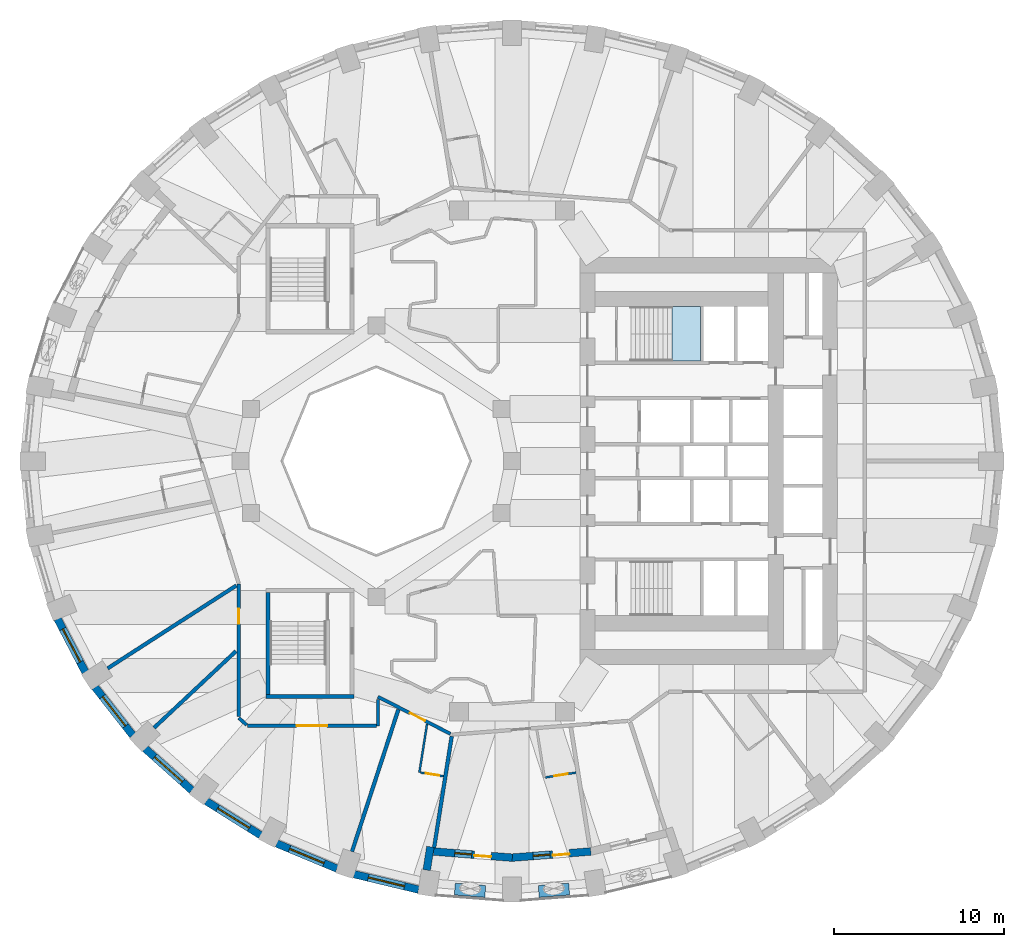
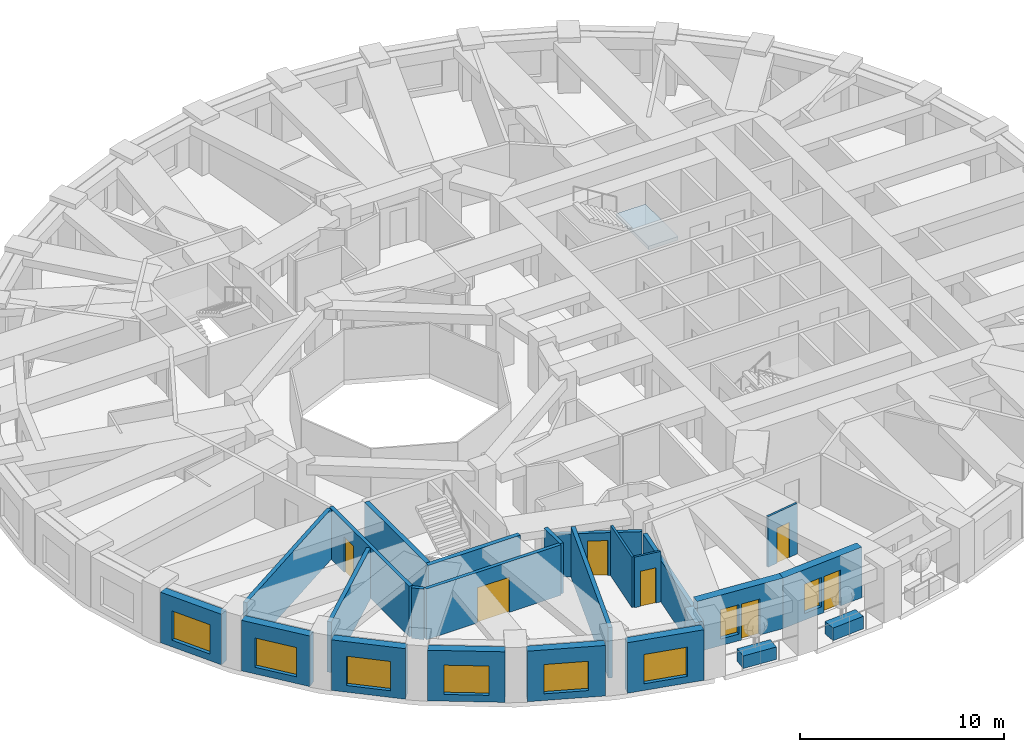
# One storey, part 3 of 13: 25 walls, 8 windows, 7 doors, 1 slab, 15 openings, 1 element without a shape of its own.
"""IFC4 building model written with IfcOpenShell, lengths in metres."""

from ifc_helpers import new_model, si_unit, direction, frame, frame_2d, origin, place, context, subcontext, project, spatial, polyline, rectangle, outline, extrude, material, layer, layer_set, constituent, constituent_set, type_object, element, fill, aggregate, save


model = new_model("IFC4")

# Units and contexts
model_context = context("Model", 3, precision=1e-05, world=origin(), true_north=direction((0.0, 1.0)))
body_context = subcontext(model_context, "Body", "Model", "MODEL_VIEW")
ifc_project = project(units=[si_unit("LENGTHUNIT", "METRE"), si_unit("AREAUNIT", "SQUARE_METRE"), si_unit("VOLUMEUNIT", "CUBIC_METRE"), si_unit("PLANEANGLEUNIT", "RADIAN"), si_unit("MASSUNIT", "GRAM", prefix="KILO")], contexts=[model_context])

# Site, building, storey
site_placement = place(None, origin())
site = spatial("IfcSite", under=ifc_project, at=site_placement, CompositionType="ELEMENT")
building_placement = place(site_placement, origin())
building = spatial("IfcBuilding", under=site, at=building_placement, Name="Taillehof Tower", CompositionType="ELEMENT")
storey_placement = place(building_placement, frame((0.0, 0.0, 34.89990234375)))
storey = spatial("IfcBuildingStorey", under=building, at=storey_placement, Name="L08", CompositionType="ELEMENT", Elevation=34.89990234375)

# Stair, slab
ifc_material_1 = material(Name="Concrete C40/50", Category="concrete")
stair_type = type_object("IfcStairType", Name="Exit stair half-turn", PredefinedType="HALF_TURN_STAIR", material=ifc_material_1)
stair_placement = place(storey_placement, origin())
stair = element("IfcStair", 1, at=stair_placement, inside=storey, type_object=stair_type, Name="Exit stair S1", PredefinedType="HALF_TURN_STAIR")
ifc_material_2 = material(Name="Concrete C40/50", Category="concrete")
ifc_layer_1 = layer(ifc_material_2, 0.2099609375)
ifc_layer_set_1 = layer_set([ifc_layer_1], Name="Stair landing C40/50 210")
slab_type = type_object("IfcSlabType", Name="Stair landing C40/50 210", PredefinedType="LANDING", material=ifc_layer_set_1)
slab_placement = place(storey_placement, frame((0.0, 0.0, 1.440185546875)))
slab = element("IfcSlab", 2, at=slab_placement, type_object=slab_type, Name="S1 landing 1", PredefinedType="LANDING", context=body_context, shape_type="SweptSolid", body=[
    extrude(outline(polyline([(9.429931640625, 5.89990234375), (11.10009765625, 5.89990234375), (11.10009765625, 9.10009765625), (9.429931640625, 9.10009765625), (9.429931640625, 5.89990234375)])), origin(), (0.0, 0.0, 1.0), 0.2099609375),
])
aggregate(stair, [slab])

# Wall, opening, window
ifc_material_3 = material(Name="Brick masonry", Category="masonry")
ifc_layer_2 = layer(ifc_material_3, 0.449951171875)
ifc_layer_set_2 = layer_set([ifc_layer_2], Name="Brick infill wall 450")
wall_type_1 = type_object("IfcWallType", Name="Brick infill wall 450", PredefinedType="SOLIDWALL", material=ifc_layer_set_2)
wall_1_placement = place(storey_placement, frame((-26.78564453125, -9.30517578125, 0.0), z_axis=(0.0, 0.0, 1.0), x_axis=(0.462492775226, -0.886623050041, 0.0)))
wall_1 = element("IfcWall", 3, at=wall_1_placement, inside=storey, type_object=wall_type_1, Name="Brick wall L08 bay 21", PredefinedType="SOLIDWALL", context=body_context, shape_type="SweptSolid", body=[
    extrude(rectangle(XDim=3.531982421875, YDim=0.449951171875, at=frame_2d((1.76611328125, 0.0))), origin(), (0.0, 0.0, 1.0), 3.02001953125),
])
opening_1_placement = place(wall_1_placement, frame((0.666015625, 0.0, 0.39990234375)))
opening_1 = element("IfcOpeningElement", 4, at=opening_1_placement, cuts=wall_1, Name="Opening W1", PredefinedType="OPENING", context=body_context, shape_type="SweptSolid", body=[
    extrude(rectangle(XDim=2.199951171875, YDim=1.75, at=frame_2d((1.10009765625, 0.875))), frame((0.0, 0.23486328125, 0.0), z_axis=(0.0, -1.0, 0.0), x_axis=(1.0, 0.0, 0.0)), (0.0, 0.0, 1.0), 0.469970703125),
])
ifc_material_4 = material(Name="Aluminium window frame with clear double glazing", Category="aluminium")
window_type_1 = type_object("IfcWindowType", Name="Deep-set window 2200x1750", PartitioningType="SINGLE_PANEL", PredefinedType="WINDOW", material=ifc_material_4)
window_1_placement = place(opening_1_placement, origin())
window_1 = element("IfcWindow", 5, at=window_1_placement, inside=storey, type_object=window_type_1, Name="W1", OverallHeight=1.75, OverallWidth=2.199951171875, PartitioningType="SINGLE_PANEL", PredefinedType="WINDOW", context=body_context, shape_type="SweptSolid", body=[
    extrude(rectangle(XDim=2.199951171875, YDim=1.75, at=frame_2d((1.10009765625, 0.875))), frame((0.0, 0.034912109375, 0.0), z_axis=(0.0, -1.0, 0.0), x_axis=(1.0, 0.0, 0.0)), (0.0, 0.0, 1.0), 0.06005859375),
])
fill(opening_1, window_1)

wall_2_placement = place(storey_placement, frame((-24.57763671875, -13.327880859375, 0.0), z_axis=(0.0, 0.0, 1.0), x_axis=(0.616661975264, -0.787228053529, 0.0)))
wall_2 = element("IfcWall", 6, at=wall_2_placement, inside=storey, type_object=wall_type_1, Name="Brick wall L08 bay 22", PredefinedType="SOLIDWALL", context=body_context, shape_type="SweptSolid", body=[
    extrude(rectangle(XDim=3.60986328125, YDim=0.449951171875, at=frame_2d((1.804931640625, 0.0))), origin(), (0.0, 0.0, 1.0), 3.02001953125),
])
opening_2_placement = place(wall_2_placement, frame((0.704833984375, 0.0, 0.39990234375)))
opening_2 = element("IfcOpeningElement", 7, at=opening_2_placement, cuts=wall_2, Name="Opening W1", PredefinedType="OPENING", context=body_context, shape_type="SweptSolid", body=[
    extrude(rectangle(XDim=2.199951171875, YDim=1.75, at=frame_2d((1.10009765625, 0.875))), frame((0.0, 0.23486328125, 0.0), z_axis=(0.0, -1.0, 0.0), x_axis=(1.0, 0.0, 0.0)), (0.0, 0.0, 1.0), 0.469970703125),
])
window_2_placement = place(opening_2_placement, origin())
window_2 = element("IfcWindow", 8, at=window_2_placement, inside=storey, type_object=window_type_1, Name="W1", OverallHeight=1.75, OverallWidth=2.199951171875, PartitioningType="SINGLE_PANEL", PredefinedType="WINDOW", context=body_context, shape_type="SweptSolid", body=[
    extrude(rectangle(XDim=2.199951171875, YDim=1.75, at=frame_2d((1.10009765625, 0.875))), frame((0.0, 0.034912109375, 0.0), z_axis=(0.0, -1.0, 0.0), x_axis=(1.0, 0.0, 0.0)), (0.0, 0.0, 1.0), 0.06005859375),
])
fill(opening_2, window_2)

wall_3_placement = place(storey_placement, frame((-21.626708984375, -16.943115234375, 0.0), z_axis=(0.0, 0.0, 1.0), x_axis=(0.745526233716, -0.66647628228, 0.0)))
wall_3 = element("IfcWall", 9, at=wall_3_placement, inside=storey, type_object=wall_type_1, Name="Brick wall L08 bay 23", PredefinedType="SOLIDWALL", context=body_context, shape_type="SweptSolid", body=[
    extrude(rectangle(XDim=3.69677734375, YDim=0.449951171875, at=frame_2d((1.848388671875, 0.0))), origin(), (0.0, 0.0, 1.0), 3.02001953125),
])
opening_3_placement = place(wall_3_placement, frame((0.74853515625, 0.0, 0.39990234375)))
opening_3 = element("IfcOpeningElement", 10, at=opening_3_placement, cuts=wall_3, Name="Opening W1", PredefinedType="OPENING", context=body_context, shape_type="SweptSolid", body=[
    extrude(rectangle(XDim=2.199951171875, YDim=1.75, at=frame_2d((1.10009765625, 0.875))), frame((0.0, 0.23486328125, 0.0), z_axis=(0.0, -1.0, 0.0), x_axis=(1.0, 0.0, 0.0)), (0.0, 0.0, 1.0), 0.469970703125),
])
window_3_placement = place(opening_3_placement, origin())
window_3 = element("IfcWindow", 11, at=window_3_placement, inside=storey, type_object=window_type_1, Name="W1", OverallHeight=1.75, OverallWidth=2.199951171875, PartitioningType="SINGLE_PANEL", PredefinedType="WINDOW", context=body_context, shape_type="SweptSolid", body=[
    extrude(rectangle(XDim=2.199951171875, YDim=1.75, at=frame_2d((1.10009765625, 0.875))), frame((0.0, 0.034912109375, 0.0), z_axis=(0.0, -1.0, 0.0), x_axis=(1.0, 0.0, 0.0)), (0.0, 0.0, 1.0), 0.06005859375),
])
fill(opening_3, window_3)

wall_4_placement = place(storey_placement, frame((-18.02294921875, -20.043701171875, 0.0), z_axis=(0.0, 0.0, 1.0), x_axis=(0.847635480093, -0.530579016629, 0.0)))
wall_4 = element("IfcWall", 12, at=wall_4_placement, inside=storey, type_object=wall_type_1, Name="Brick wall L08 bay 24", PredefinedType="SOLIDWALL", context=body_context, shape_type="SweptSolid", body=[
    extrude(rectangle(XDim=3.782470703125, YDim=0.449951171875, at=frame_2d((1.89111328125, 0.0))), origin(), (0.0, 0.0, 1.0), 3.02001953125),
])
opening_4_placement = place(wall_4_placement, frame((0.791259765625, 0.0, 0.39990234375)))
opening_4 = element("IfcOpeningElement", 13, at=opening_4_placement, cuts=wall_4, Name="Opening W1", PredefinedType="OPENING", context=body_context, shape_type="SweptSolid", body=[
    extrude(rectangle(XDim=2.199951171875, YDim=1.75, at=frame_2d((1.10009765625, 0.875))), frame((0.0, 0.23486328125, 0.0), z_axis=(0.0, -1.0, 0.0), x_axis=(1.0, 0.0, 0.0)), (0.0, 0.0, 1.0), 0.469970703125),
])
window_4_placement = place(opening_4_placement, origin())
window_4 = element("IfcWindow", 14, at=window_4_placement, inside=storey, type_object=window_type_1, Name="W1", OverallHeight=1.75, OverallWidth=2.199951171875, PartitioningType="SINGLE_PANEL", PredefinedType="WINDOW", context=body_context, shape_type="SweptSolid", body=[
    extrude(rectangle(XDim=2.199951171875, YDim=1.75, at=frame_2d((1.10009765625, 0.875))), frame((0.0, 0.034912109375, 0.0), z_axis=(0.0, -1.0, 0.0), x_axis=(1.0, 0.0, 0.0)), (0.0, 0.0, 1.0), 0.06005859375),
])
fill(opening_4, window_4)

wall_5_placement = place(storey_placement, frame((-13.875, -22.537353515625, 0.0), z_axis=(0.0, 0.0, 1.0), x_axis=(0.923031964282, -0.384723267966, 0.0)))
wall_5 = element("IfcWall", 15, at=wall_5_placement, inside=storey, type_object=wall_type_1, Name="Brick wall L08 bay 25", PredefinedType="SOLIDWALL", context=body_context, shape_type="SweptSolid", body=[
    extrude(rectangle(XDim=3.8564453125, YDim=0.449951171875, at=frame_2d((1.92822265625, 0.0))), origin(), (0.0, 0.0, 1.0), 3.02001953125),
])
opening_5_placement = place(wall_5_placement, frame((0.828125, 0.0, 0.39990234375)))
opening_5 = element("IfcOpeningElement", 16, at=opening_5_placement, cuts=wall_5, Name="Opening W1", PredefinedType="OPENING", context=body_context, shape_type="SweptSolid", body=[
    extrude(rectangle(XDim=2.199951171875, YDim=1.75, at=frame_2d((1.10009765625, 0.875))), frame((0.0, 0.23486328125, 0.0), z_axis=(0.0, -1.0, 0.0), x_axis=(1.0, 0.0, 0.0)), (0.0, 0.0, 1.0), 0.469970703125),
])
window_5_placement = place(opening_5_placement, origin())
window_5 = element("IfcWindow", 17, at=window_5_placement, inside=storey, type_object=window_type_1, Name="W1", OverallHeight=1.75, OverallWidth=2.199951171875, PartitioningType="SINGLE_PANEL", PredefinedType="WINDOW", context=body_context, shape_type="SweptSolid", body=[
    extrude(rectangle(XDim=2.199951171875, YDim=1.75, at=frame_2d((1.10009765625, 0.875))), frame((0.0, 0.034912109375, 0.0), z_axis=(0.0, -1.0, 0.0), x_axis=(1.0, 0.0, 0.0)), (0.0, 0.0, 1.0), 0.06005859375),
])
fill(opening_5, window_5)

wall_6_placement = place(storey_placement, frame((-9.3076171875, -24.349609375, 0.0), z_axis=(0.0, 0.0, 1.0), x_axis=(0.972496561493, -0.232917233979, 0.0)))
wall_6 = element("IfcWall", 18, at=wall_6_placement, inside=storey, type_object=wall_type_1, Name="Brick wall L08 bay 26", PredefinedType="SOLIDWALL", context=body_context, shape_type="SweptSolid", body=[
    extrude(rectangle(XDim=3.910888671875, YDim=0.449951171875, at=frame_2d((1.95556640625, 0.0))), origin(), (0.0, 0.0, 1.0), 3.02001953125),
])
opening_6_placement = place(wall_6_placement, frame((0.855224609375, 0.0, 0.39990234375)))
opening_6 = element("IfcOpeningElement", 19, at=opening_6_placement, cuts=wall_6, Name="Opening W1", PredefinedType="OPENING", context=body_context, shape_type="SweptSolid", body=[
    extrude(rectangle(XDim=2.199951171875, YDim=1.75, at=frame_2d((1.10009765625, 0.875))), frame((0.0, 0.23486328125, 0.0), z_axis=(0.0, -1.0, 0.0), x_axis=(1.0, 0.0, 0.0)), (0.0, 0.0, 1.0), 0.469970703125),
])
window_6_placement = place(opening_6_placement, origin())
window_6 = element("IfcWindow", 20, at=window_6_placement, inside=storey, type_object=window_type_1, Name="W1", OverallHeight=1.75, OverallWidth=2.199951171875, PartitioningType="SINGLE_PANEL", PredefinedType="WINDOW", context=body_context, shape_type="SweptSolid", body=[
    extrude(rectangle(XDim=2.199951171875, YDim=1.75, at=frame_2d((1.10009765625, 0.875))), frame((0.0, 0.034912109375, 0.0), z_axis=(0.0, -1.0, 0.0), x_axis=(1.0, 0.0, 0.0)), (0.0, 0.0, 1.0), 0.06005859375),
])
fill(opening_6, window_6)

# Wall
wall_7_placement = place(storey_placement, frame((-5.02685546875, -24.108154296875, 0.0), z_axis=(0.0, 0.0, 1.0), x_axis=(0.156133927791, 0.98773589415, 0.0)))
element("IfcWall", 21, at=wall_7_placement, inside=storey, type_object=wall_type_1, Name="Brick reveal L08 pocket 8", PredefinedType="SOLIDWALL", context=body_context, shape_type="SweptSolid", body=[
    extrude(rectangle(XDim=1.39013671875, YDim=0.449951171875, at=frame_2d((0.695068359375, 0.0))), origin(), (0.0, 0.0, 1.0), 2.47021484375),
])

# Wall, openings, door, window
wall_8_placement = place(storey_placement, frame((-4.625732421875, -23.011474609375, 0.0), z_axis=(0.0, 0.0, 1.0), x_axis=(0.996937095772, -0.078207589615, 0.0)))
wall_8 = element("IfcWall", 22, at=wall_8_placement, inside=storey, type_object=wall_type_1, Name="Brick wall L08 pocket bay 27", PredefinedType="SOLIDWALL", context=body_context, shape_type="SweptSolid", body=[
    extrude(rectangle(XDim=4.657470703125, YDim=0.449951171875, at=frame_2d((2.32861328125, 0.0))), origin(), (0.0, 0.0, 1.0), 3.02001953125),
])
opening_7_placement = place(wall_8_placement, frame((1.25390625, 0.0, 0.39990234375)))
opening_7 = element("IfcOpeningElement", 23, at=opening_7_placement, cuts=wall_8, Name="Opening W5", PredefinedType="OPENING", context=body_context, shape_type="SweptSolid", body=[
    extrude(rectangle(XDim=1.0, YDim=1.75, at=frame_2d((0.5, 0.875))), frame((0.0, 0.23486328125, 0.0), z_axis=(0.0, -1.0, 0.0), x_axis=(1.0, 0.0, 0.0)), (0.0, 0.0, 1.0), 0.469970703125),
])
opening_8_placement = place(wall_8_placement, frame((2.40380859375, 0.0, 0.0)))
opening_8 = element("IfcOpeningElement", 24, at=opening_8_placement, cuts=wall_8, Name="Opening D0894", PredefinedType="OPENING", context=body_context, shape_type="SweptSolid", body=[
    extrude(rectangle(XDim=1.0, YDim=2.14990234375, at=frame_2d((0.5, 1.074951171875))), frame((0.0, 0.23486328125, 0.0), z_axis=(0.0, -1.0, 0.0), x_axis=(1.0, 0.0, 0.0)), (0.0, 0.0, 1.0), 0.469970703125),
])
ifc_material_5 = material(Name="Aluminium door frame with clear double glazing", Category="aluminium")
door_type_1 = type_object("IfcDoorType", Name="Balcony door 1000x2150", OperationType="SINGLE_SWING_RIGHT", PredefinedType="DOOR", material=ifc_material_5)
door_1_placement = place(opening_8_placement, frame((1.0, 0.0, 0.0), z_axis=(0.0, 0.0, 1.0), x_axis=(-1.0, 0.0, 0.0)))
door_1 = element("IfcDoor", 25, at=door_1_placement, inside=storey, type_object=door_type_1, Name="Balcony door L08 bay 27", OperationType="SINGLE_SWING_RIGHT", OverallHeight=2.14990234375, OverallWidth=1.0, PredefinedType="DOOR", context=body_context, shape_type="SweptSolid", body=[
    extrude(rectangle(XDim=1.0, YDim=2.14990234375, at=frame_2d((0.5, 1.074951171875))), frame((0.0, 0.0751953125, 0.0), z_axis=(0.0, -1.0, 0.0), x_axis=(1.0, 0.0, 0.0)), (0.0, 0.0, 1.0), 0.050048828125),
])
fill(opening_8, door_1)
ifc_material_6 = material(Name="Aluminium window frame with clear double glazing", Category="aluminium")
window_type_2 = type_object("IfcWindowType", Name="Fixed window 1000x1750", PartitioningType="SINGLE_PANEL", PredefinedType="WINDOW", material=ifc_material_6)
window_7_placement = place(opening_7_placement, origin())
window_7 = element("IfcWindow", 26, at=window_7_placement, inside=storey, type_object=window_type_2, Name="W5", OverallHeight=1.75, OverallWidth=1.0, PartitioningType="SINGLE_PANEL", PredefinedType="WINDOW", context=body_context, shape_type="SweptSolid", body=[
    extrude(rectangle(XDim=1.0, YDim=1.75, at=frame_2d((0.5, 0.875))), frame((0.0, 0.034912109375, 0.0), z_axis=(0.0, -1.0, 0.0), x_axis=(1.0, 0.0, 0.0)), (0.0, 0.0, 1.0), 0.06005859375),
])
fill(opening_7, window_7)

wall_9_placement = place(storey_placement, frame((-0.017578125, -23.375732421875, 0.0), z_axis=(0.0, 0.0, 1.0), x_axis=(0.996935982964, 0.078221773648, 0.0)))
wall_9 = element("IfcWall", 27, at=wall_9_placement, inside=storey, type_object=wall_type_1, Name="Brick wall L08 pocket bay 28", PredefinedType="SOLIDWALL", context=body_context, shape_type="SweptSolid", body=[
    extrude(rectangle(XDim=4.675537109375, YDim=0.449951171875, at=frame_2d((2.337890625, 0.0))), origin(), (0.0, 0.0, 1.0), 3.02001953125),
])
opening_9_placement = place(wall_9_placement, frame((1.2626953125, 0.0, 0.39990234375)))
opening_9 = element("IfcOpeningElement", 28, at=opening_9_placement, cuts=wall_9, Name="Opening W5", PredefinedType="OPENING", context=body_context, shape_type="SweptSolid", body=[
    extrude(rectangle(XDim=1.0, YDim=1.75, at=frame_2d((0.5, 0.875))), frame((0.0, 0.23486328125, 0.0), z_axis=(0.0, -1.0, 0.0), x_axis=(1.0, 0.0, 0.0)), (0.0, 0.0, 1.0), 0.469970703125),
])
opening_10_placement = place(wall_9_placement, frame((2.41259765625, 0.0, 0.0)))
opening_10 = element("IfcOpeningElement", 29, at=opening_10_placement, cuts=wall_9, Name="Opening D0895", PredefinedType="OPENING", context=body_context, shape_type="SweptSolid", body=[
    extrude(rectangle(XDim=1.0, YDim=2.14990234375, at=frame_2d((0.5, 1.074951171875))), frame((0.0, 0.23486328125, 0.0), z_axis=(0.0, -1.0, 0.0), x_axis=(1.0, 0.0, 0.0)), (0.0, 0.0, 1.0), 0.469970703125),
])
door_2_placement = place(opening_10_placement, frame((1.0, 0.0, 0.0), z_axis=(0.0, 0.0, 1.0), x_axis=(-1.0, 0.0, 0.0)))
door_2 = element("IfcDoor", 30, at=door_2_placement, inside=storey, type_object=door_type_1, Name="Balcony door L08 bay 28", OperationType="SINGLE_SWING_LEFT", OverallHeight=2.14990234375, OverallWidth=1.0, PredefinedType="DOOR", context=body_context, shape_type="SweptSolid", body=[
    extrude(rectangle(XDim=1.0, YDim=2.14990234375, at=frame_2d((0.5, 1.074951171875))), frame((0.0, 0.0751953125, 0.0), z_axis=(0.0, -1.0, 0.0), x_axis=(1.0, 0.0, 0.0)), (0.0, 0.0, 1.0), 0.050048828125),
])
fill(opening_10, door_2)
window_8_placement = place(opening_9_placement, origin())
window_8 = element("IfcWindow", 31, at=window_8_placement, inside=storey, type_object=window_type_2, Name="W5", OverallHeight=1.75, OverallWidth=1.0, PartitioningType="SINGLE_PANEL", PredefinedType="WINDOW", context=body_context, shape_type="SweptSolid", body=[
    extrude(rectangle(XDim=1.0, YDim=1.75, at=frame_2d((0.5, 0.875))), frame((0.0, 0.034912109375, 0.0), z_axis=(0.0, -1.0, 0.0), x_axis=(1.0, 0.0, 0.0)), (0.0, 0.0, 1.0), 0.06005859375),
])
fill(opening_9, window_8)

# Wall, opening, door
ifc_material_7 = material(Name="Gypsum board on steel studs, two layers each side", Category="steel")
ifc_layer_3 = layer(ifc_material_7, 0.199951171875)
ifc_layer_set_3 = layer_set([ifc_layer_3], Name="Compartment wall corridor 200")
wall_type_2 = type_object("IfcWallType", Name="Compartment wall corridor 200", PredefinedType="PARTITIONING", material=ifc_layer_set_3)
wall_10_placement = place(storey_placement, frame((-3.6259765625, -16.07763671875, 0.0), z_axis=(0.0, 0.0, 1.0), x_axis=(-0.890197807844, 0.455574212297, 0.0)))
wall_10 = element("IfcWall", 32, at=wall_10_placement, inside=storey, type_object=wall_type_2, Name="Compartment wall", PredefinedType="PARTITIONING", context=body_context, shape_type="SweptSolid", body=[
    extrude(rectangle(XDim=4.801025390625, YDim=0.199951171875, at=frame_2d((2.400390625, 0.0))), origin(), (0.0, 0.0, 1.0), 2.570068359375),
])
opening_11_placement = place(wall_10_placement, frame((1.6875, 0.0, 0.0)))
opening_11 = element("IfcOpeningElement", 33, at=opening_11_placement, cuts=wall_10, Name="Opening D0855", PredefinedType="OPENING", context=body_context, shape_type="SweptSolid", body=[
    extrude(rectangle(XDim=1.0, YDim=2.10009765625, at=frame_2d((0.5, 1.050048828125))), frame((0.0, 0.10986328125, 0.0), z_axis=(0.0, -1.0, 0.0), x_axis=(1.0, 0.0, 0.0)), (0.0, 0.0, 1.0), 0.219970703125),
])
ifc_material_8 = material(Name="Timber door leaf in steel frame", Category="steel")
door_type_2 = type_object("IfcDoorType", Name="Guest room door EI 30 1000 x 2100", OperationType="SINGLE_SWING_LEFT", PredefinedType="DOOR", material=ifc_material_8)
door_3_placement = place(opening_11_placement, origin())
door_3 = element("IfcDoor", 34, at=door_3_placement, inside=storey, type_object=door_type_2, Name="D0855", OperationType="SINGLE_SWING_LEFT", OverallHeight=2.10009765625, OverallWidth=1.0, PredefinedType="DOOR", context=body_context, shape_type="SweptSolid", body=[
    extrude(rectangle(XDim=1.0, YDim=2.10009765625, at=frame_2d((0.5, 1.050048828125))), frame((0.0, 0.02490234375, 0.0), z_axis=(0.0, -1.0, 0.0), x_axis=(1.0, 0.0, 0.0)), (0.0, 0.0, 1.0), 0.050048828125),
])
fill(opening_11, door_3)

# Wall
wall_11_placement = place(storey_placement, frame((-7.89990234375, -14.050537109375, 0.0), z_axis=(0.0, 0.0, 1.0), x_axis=(0.0, -1.0, 0.0)))
element("IfcWall", 35, at=wall_11_placement, inside=storey, type_object=wall_type_2, Name="Compartment wall", PredefinedType="PARTITIONING", context=body_context, shape_type="SweptSolid", body=[
    extrude(rectangle(XDim=1.549560546875, YDim=0.199951171875, at=frame_2d((0.77490234375, 0.0))), origin(), (0.0, 0.0, 1.0), 3.02001953125),
])

# Wall, opening, door
wall_12_placement = place(storey_placement, frame((-8.0, -15.60009765625, 0.0), z_axis=(0.0, 0.0, 1.0), x_axis=(-1.0, 0.0, 0.0)))
wall_12 = element("IfcWall", 36, at=wall_12_placement, inside=storey, type_object=wall_type_2, Name="Compartment wall", PredefinedType="PARTITIONING", context=body_context, shape_type="SweptSolid", body=[
    extrude(rectangle(XDim=7.591552734375, YDim=0.199951171875, at=frame_2d((3.7958984375, 0.0))), origin(), (0.0, 0.0, 1.0), 3.02001953125),
])
opening_12_placement = place(wall_12_placement, frame((2.895751953125, 0.0, 0.0)))
opening_12 = element("IfcOpeningElement", 37, at=opening_12_placement, cuts=wall_12, Name="Opening D0854", PredefinedType="OPENING", context=body_context, shape_type="SweptSolid", body=[
    extrude(rectangle(XDim=1.800048828125, YDim=2.10009765625, at=frame_2d((0.89990234375, 1.050048828125))), frame((0.0, 0.10986328125, 0.0), z_axis=(0.0, -1.0, 0.0), x_axis=(1.0, 0.0, 0.0)), (0.0, 0.0, 1.0), 0.219970703125),
])
ifc_material_9 = material(Name="Timber door leaf in steel frame", Category="steel")
door_type_3 = type_object("IfcDoorType", Name="Lounge and meeting room double door EI 30 1800 x 2100", OperationType="SINGLE_SWING_LEFT", PredefinedType="DOOR", material=ifc_material_9)
door_4_placement = place(opening_12_placement, origin())
door_4 = element("IfcDoor", 38, at=door_4_placement, inside=storey, type_object=door_type_3, Name="D0854", OperationType="DOUBLE_DOOR_SINGLE_SWING", OverallHeight=2.10009765625, OverallWidth=1.800048828125, PredefinedType="DOOR", context=body_context, shape_type="SweptSolid", body=[
    extrude(rectangle(XDim=1.800048828125, YDim=2.10009765625, at=frame_2d((0.89990234375, 1.050048828125))), frame((0.0, 0.02490234375, 0.0), z_axis=(0.0, -1.0, 0.0), x_axis=(1.0, 0.0, 0.0)), (0.0, 0.0, 1.0), 0.050048828125),
])
fill(opening_12, door_4)

# Wall
wall_13_placement = place(storey_placement, frame((-15.63623046875, -15.559814453125, 0.0), z_axis=(0.0, 0.0, 1.0), x_axis=(-0.744656758283, 0.667447610187, 0.0)))
element("IfcWall", 39, at=wall_13_placement, inside=storey, type_object=wall_type_2, Name="Compartment wall", PredefinedType="PARTITIONING", context=body_context, shape_type="SweptSolid", body=[
    extrude(rectangle(XDim=0.623046875, YDim=0.199951171875, at=frame_2d((0.3115234375, 0.0))), origin(), (0.0, 0.0, 1.0), 3.02001953125),
])

# Wall, opening, door
wall_14_placement = place(storey_placement, frame((-16.10009765625, -15.06396484375, 0.0), z_axis=(0.0, 0.0, 1.0), x_axis=(0.0, 1.0, 0.0)))
wall_14 = element("IfcWall", 40, at=wall_14_placement, inside=storey, type_object=wall_type_2, Name="Compartment wall", PredefinedType="PARTITIONING", context=body_context, shape_type="SweptSolid", body=[
    extrude(rectangle(XDim=7.8232421875, YDim=0.199951171875, at=frame_2d((3.91162109375, 0.0))), origin(), (0.0, 0.0, 1.0), 3.02001953125),
])
opening_13_placement = place(wall_14_placement, frame((5.46435546875, 0.0, 0.0)))
opening_13 = element("IfcOpeningElement", 41, at=opening_13_placement, cuts=wall_14, Name="Opening D0853", PredefinedType="OPENING", context=body_context, shape_type="SweptSolid", body=[
    extrude(rectangle(XDim=0.89990234375, YDim=2.10009765625, at=frame_2d((0.449951171875, 1.050048828125))), frame((0.0, 0.10986328125, 0.0), z_axis=(0.0, -1.0, 0.0), x_axis=(1.0, 0.0, 0.0)), (0.0, 0.0, 1.0), 0.219970703125),
])
ifc_material_10 = material(Name="Timber door leaf in steel frame", Category="steel")
door_type_4 = type_object("IfcDoorType", Name="Service room door EI 30 900 x 2100", OperationType="SINGLE_SWING_LEFT", PredefinedType="DOOR", material=ifc_material_10)
door_5_placement = place(opening_13_placement, origin())
door_5 = element("IfcDoor", 42, at=door_5_placement, inside=storey, type_object=door_type_4, Name="D0853", OperationType="SINGLE_SWING_RIGHT", OverallHeight=2.10009765625, OverallWidth=0.89990234375, PredefinedType="DOOR", context=body_context, shape_type="SweptSolid", body=[
    extrude(rectangle(XDim=0.89990234375, YDim=2.10009765625, at=frame_2d((0.449951171875, 1.050048828125))), frame((0.0, 0.02490234375, 0.0), z_axis=(0.0, -1.0, 0.0), x_axis=(1.0, 0.0, 0.0)), (0.0, 0.0, 1.0), 0.050048828125),
])
fill(opening_13, door_5)

# Walls
ifc_material_11 = material(Name="Gypsum board on double steel studs with mineral wool", Category="steel")
ifc_layer_4 = layer(ifc_material_11, 0.219970703125)
ifc_layer_set_4 = layer_set([ifc_layer_4], Name="Compartment wall guest room 220")
wall_type_3 = type_object("IfcWallType", Name="Compartment wall guest room 220", PredefinedType="PARTITIONING", material=ifc_layer_set_4)
wall_15_placement = place(storey_placement, frame((-23.834716796875, -12.218994140625, 0.0), z_axis=(0.0, 0.0, 1.0), x_axis=(0.840731477632, 0.541452290159, 0.0)))
element("IfcWall", 43, at=wall_15_placement, inside=storey, type_object=wall_type_3, Name="Compartment wall", PredefinedType="PARTITIONING", context=body_context, shape_type="SweptSolid", body=[
    extrude(rectangle(XDim=9.020751953125, YDim=0.219970703125, at=frame_2d((4.51025390625, 0.0))), origin(), (0.0, 0.0, 1.0), 3.02001953125),
])
wall_16_placement = place(storey_placement, frame((-21.09326171875, -15.7177734375, 0.0), z_axis=(0.0, 0.0, 1.0), x_axis=(0.73009284205, 0.683347965525, 0.0)))
element("IfcWall", 44, at=wall_16_placement, inside=storey, type_object=wall_type_3, Name="Compartment wall", PredefinedType="PARTITIONING", context=body_context, shape_type="SweptSolid", body=[
    extrude(rectangle(XDim=6.6015625, YDim=0.219970703125, at=frame_2d((3.30078125, 0.0))), origin(), (0.0, 0.0, 1.0), 3.02001953125),
])
wall_17_placement = place(storey_placement, frame((-9.429443359375, -23.01416015625, 0.0), z_axis=(0.0, 0.0, 1.0), x_axis=(0.310242805557, 0.950657352362, 0.0)))
element("IfcWall", 45, at=wall_17_placement, inside=storey, type_object=wall_type_3, Name="Compartment wall", PredefinedType="PARTITIONING", context=body_context, shape_type="SweptSolid", body=[
    extrude(rectangle(XDim=8.80810546875, YDim=0.219970703125, at=frame_2d((4.404052734375, 0.0))), origin(), (0.0, 0.0, 1.0), 3.02001953125),
])
wall_18_placement = place(storey_placement, frame((-4.590576171875, -22.78857421875, 0.0), z_axis=(0.0, 0.0, 1.0), x_axis=(0.156104000092, 0.987740624433, 0.0)))
element("IfcWall", 46, at=wall_18_placement, inside=storey, type_object=wall_type_3, Name="Compartment wall", PredefinedType="PARTITIONING", context=body_context, shape_type="SweptSolid", body=[
    extrude(rectangle(XDim=6.6484375, YDim=0.219970703125, at=frame_2d((3.32421875, 0.0))), origin(), (0.0, 0.0, 1.0), 2.47021484375),
])
ifc_material_12 = material(Name="Gypsum board on steel studs, moisture resistant", Category="steel")
ifc_layer_5 = layer(ifc_material_12, 0.1201171875)
ifc_layer_set_5 = layer_set([ifc_layer_5], Name="En-suite wall 120")
wall_type_4 = type_object("IfcWallType", Name="En-suite wall 120", PredefinedType="PARTITIONING", material=ifc_layer_set_5)
wall_19_placement = place(storey_placement, frame((-5.008056640625, -15.503662109375, 0.0), z_axis=(0.0, 0.0, 1.0), x_axis=(-0.156219239615, -0.987722404917, 0.0)))
element("IfcWall", 47, at=wall_19_placement, inside=storey, type_object=wall_type_4, Name="En-suite wall", PredefinedType="PARTITIONING", context=body_context, shape_type="SweptSolid", body=[
    extrude(rectangle(XDim=2.8818359375, YDim=0.1201171875, at=frame_2d((1.44091796875, 0.0))), origin(), (0.0, 0.0, 1.0), 3.02001953125),
])

# Wall, opening, door
wall_20_placement = place(storey_placement, frame((-5.39892578125, -18.359375, 0.0), z_axis=(0.0, 0.0, 1.0), x_axis=(0.987722767831, -0.156216945011, 0.0)))
wall_20 = element("IfcWall", 48, at=wall_20_placement, inside=storey, type_object=wall_type_4, Name="En-suite wall", PredefinedType="PARTITIONING", context=body_context, shape_type="SweptSolid", body=[
    extrude(rectangle(XDim=1.3798828125, YDim=0.1201171875, at=frame_2d((0.68994140625, 0.0))), origin(), (0.0, 0.0, 1.0), 3.02001953125),
])
opening_14_placement = place(wall_20_placement, frame((0.31494140625, 0.0, 0.0)))
opening_14 = element("IfcOpeningElement", 49, at=opening_14_placement, cuts=wall_20, Name="Opening D0856", PredefinedType="OPENING", context=body_context, shape_type="SweptSolid", body=[
    extrude(rectangle(XDim=0.800048828125, YDim=2.10009765625, at=frame_2d((0.39990234375, 1.050048828125))), frame((0.0, 0.070068359375, 0.0), z_axis=(0.0, -1.0, 0.0), x_axis=(1.0, 0.0, 0.0)), (0.0, 0.0, 1.0), 0.14013671875),
])
ifc_material_13 = material(Name="Timber door leaf in steel frame", Category="steel")
door_type_5 = type_object("IfcDoorType", Name="En-suite door 800 x 2100", OperationType="SINGLE_SWING_LEFT", PredefinedType="DOOR", material=ifc_material_13)
door_6_placement = place(opening_14_placement, origin())
door_6 = element("IfcDoor", 50, at=door_6_placement, inside=storey, type_object=door_type_5, Name="D0856", OperationType="SINGLE_SWING_LEFT", OverallHeight=2.10009765625, OverallWidth=0.800048828125, PredefinedType="DOOR", context=body_context, shape_type="SweptSolid", body=[
    extrude(rectangle(XDim=0.800048828125, YDim=2.10009765625, at=frame_2d((0.39990234375, 1.050048828125))), frame((0.0, 0.02490234375, 0.0), z_axis=(0.0, -1.0, 0.0), x_axis=(1.0, 0.0, 0.0)), (0.0, 0.0, 1.0), 0.050048828125),
])
fill(opening_14, door_6)

wall_21_placement = place(storey_placement, frame((1.9716796875, -18.646240234375, 0.0), z_axis=(0.0, 0.0, 1.0), x_axis=(0.98774348746, 0.156085883351, 0.0)))
wall_21 = element("IfcWall", 51, at=wall_21_placement, inside=storey, type_object=wall_type_4, Name="En-suite wall", PredefinedType="PARTITIONING", context=body_context, shape_type="SweptSolid", body=[
    extrude(rectangle(XDim=1.830078125, YDim=0.1201171875, at=frame_2d((0.9150390625, 0.0))), origin(), (0.0, 0.0, 1.0), 3.02001953125),
])
opening_15_placement = place(wall_21_placement, frame((0.5400390625, 0.0, 0.0)))
opening_15 = element("IfcOpeningElement", 52, at=opening_15_placement, cuts=wall_21, Name="Opening D0858", PredefinedType="OPENING", context=body_context, shape_type="SweptSolid", body=[
    extrude(rectangle(XDim=0.800048828125, YDim=2.10009765625, at=frame_2d((0.39990234375, 1.050048828125))), frame((0.0, 0.070068359375, 0.0), z_axis=(0.0, -1.0, 0.0), x_axis=(1.0, 0.0, 0.0)), (0.0, 0.0, 1.0), 0.14013671875),
])
door_7_placement = place(opening_15_placement, origin())
door_7 = element("IfcDoor", 53, at=door_7_placement, inside=storey, type_object=door_type_5, Name="D0858", OperationType="SINGLE_SWING_RIGHT", OverallHeight=2.10009765625, OverallWidth=0.800048828125, PredefinedType="DOOR", context=body_context, shape_type="SweptSolid", body=[
    extrude(rectangle(XDim=0.800048828125, YDim=2.10009765625, at=frame_2d((0.39990234375, 1.050048828125))), frame((0.0, 0.02490234375, 0.0), z_axis=(0.0, -1.0, 0.0), x_axis=(1.0, 0.0, 0.0)), (0.0, 0.0, 1.0), 0.050048828125),
])
fill(opening_15, door_7)

# Walls
ifc_material_14 = material(Name="Concrete C30/37 precast", Category="concrete")
ifc_constituent_1 = constituent(ifc_material_14, Name="Structure", Category="concrete")
ifc_material_15 = material(Name="Insulated lining")
ifc_constituent_2 = constituent(ifc_material_15, Name="Lining")
ifc_constituent_set = constituent_set(constituents=[ifc_constituent_1, ifc_constituent_2], Name="Planter trough 700x750")
wall_type_5 = type_object("IfcWallType", Name="Planter trough 700x750", PredefinedType="USERDEFINED", material=ifc_constituent_set)
for number, where, z_axis, x_axis, name in (
    (54, (-3.368896484375, -25.22509765625, 0.0), (0.0, 0.0, 1.0), (0.996965267018, -0.077847648384, 0.0), "Planter L08 bay 27"),
    (55, (1.57421875, -25.365234375, 0.0), (0.0, 0.0, 1.0), (0.996965267018, 0.077847648384, 0.0), "Planter L08 bay 28"),
):
    element("IfcWall", number, at=place(storey_placement, frame(where, z_axis=z_axis, x_axis=x_axis)), inside=storey, type_object=wall_type_5, Name=name, ObjectType="PLANTER", PredefinedType="USERDEFINED", context=body_context, shape_type="SweptSolid", body=[
        extrude(rectangle(XDim=1.800048828125, YDim=0.699951171875, at=frame_2d((0.89990234375, 0.0))), origin(), (0.0, 0.0, 1.0), 0.75),
    ])
ifc_material_16 = material(Name="Concrete C50/60", Category="concrete")
ifc_layer_6 = layer(ifc_material_16, 0.25)
ifc_layer_set_6 = layer_set([ifc_layer_6], Name="Stair wall C50/60 250")
wall_type_6 = type_object("IfcWallType", Name="Stair wall C50/60 250", PredefinedType="SHEAR", material=ifc_layer_set_6)
wall_22_placement = place(storey_placement, frame((-14.375, -13.75, -0.27978515625), z_axis=(0.0, 0.0, 1.0), x_axis=(0.0, 1.0, 0.0)))
element("IfcWall", 56, at=wall_22_placement, inside=storey, type_object=wall_type_6, Name="Stair wall SC", PredefinedType="SHEAR", context=body_context, shape_type="SweptSolid", body=[
    extrude(rectangle(XDim=6.0, YDim=0.25, at=frame_2d((3.0, 0.0))), origin(), (0.0, 0.0, 1.0), 3.2998046875),
])
wall_23_placement = place(storey_placement, frame((-14.5, -13.875, -0.27978515625), z_axis=(0.0, 0.0, 1.0), x_axis=(1.0, 0.0, 0.0)))
element("IfcWall", 57, at=wall_23_placement, inside=storey, type_object=wall_type_6, Name="Stair wall SC", PredefinedType="SHEAR", context=body_context, shape_type="SweptSolid", body=[
    extrude(rectangle(XDim=5.199951171875, YDim=0.25, at=frame_2d((2.60009765625, 0.0))), origin(), (0.0, 0.0, 1.0), 3.2998046875),
])

save(model, "model.ifc")
